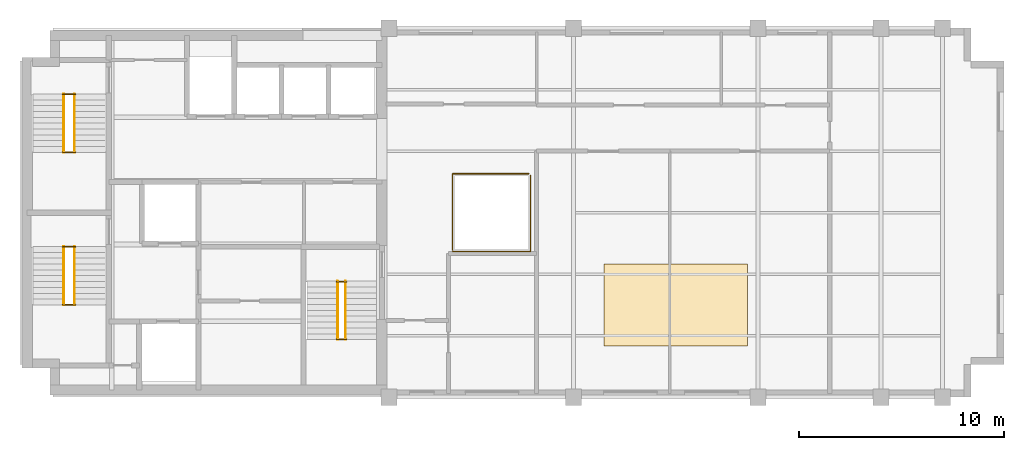
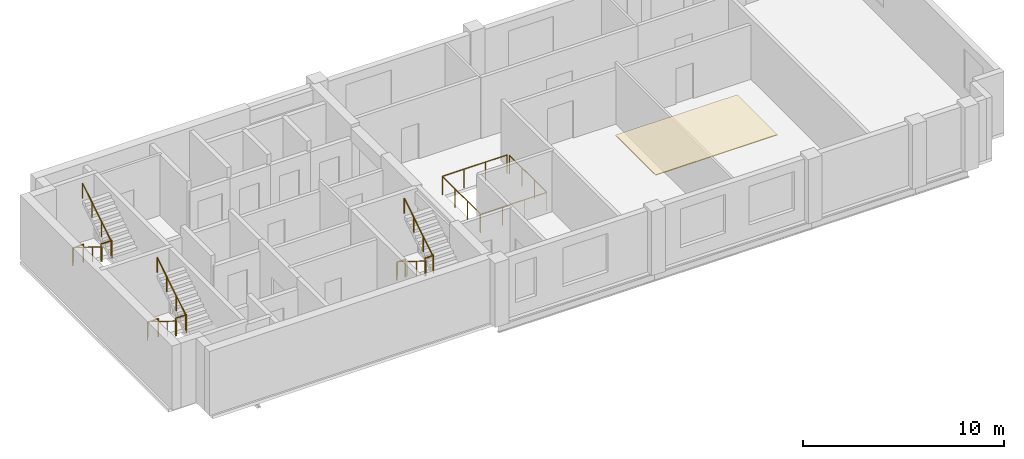
# One storey, part 5 of 5: 14 railings, 1 covering.
"""IFC4 building model written with IfcOpenShell, lengths in metres."""

import ifcopenshell
import ifcopenshell.guid

model = None  # the IFC model being written
_history = None  # IfcOwnerHistory: only IFC2X3 demands one
_inside = {}  # id of a spatial element -> (the spatial element, [elements in it])
_under = {}  # id of a project, library or spatial element -> (it, [spatial elements below it])
_declared = {}  # id of a project -> (the project, [libraries it declares])
_typed = {}  # id of a type object -> (the type object, [elements of that type])
_made_of = {}  # id of a material, layer set ... -> (it, [elements and type objects made of it])


def new_model(schema):
    """Start an empty IFC model of exactly this schema.

    Asked for "IFC4X3", IfcOpenShell would pick the latest addendum, in which some entities
    have other attributes; the version numbers below select the first issue.
    IFC2X3 requires an IfcOwnerHistory on every rooted entity: one is made here for all.
    """
    global model, _history
    if schema == "IFC4X3":
        model = ifcopenshell.file(schema_version=(4, 3, 0, 0))
    else:
        model = ifcopenshell.file(schema=schema)
    _inside.clear()
    _under.clear()
    _declared.clear()
    _typed.clear()
    _made_of.clear()
    _history = None
    if model.schema == "IFC2X3":
        org = make("IfcOrganization", Name="unknown")
        user = make(
            "IfcPersonAndOrganization",
            ThePerson=make("IfcPerson", FamilyName="unknown"),
            TheOrganization=org,
        )
        app = make(
            "IfcApplication",
            ApplicationDeveloper=org,
            Version="unknown",
            ApplicationFullName="unknown",
            ApplicationIdentifier="unknown",
        )
        _history = make(
            "IfcOwnerHistory",
            OwningUser=user,
            OwningApplication=app,
            ChangeAction="ADDED",
            CreationDate=0,
        )
    return model


def make(cls, **values):
    """One entity of the class cls with the attributes given. An attribute that is None is left unset."""
    return model.create_entity(
        cls, **{name: value for name, value in values.items() if value is not None}
    )


def rooted(cls, **values):
    """An entity with a GlobalId (a new one), such as an element, a storey or a relation."""
    return make(cls, GlobalId=ifcopenshell.guid.new(), OwnerHistory=_history, **values)


def si_unit(unit_type, name, prefix=None):
    """IfcSIUnit, for example si_unit("LENGTHUNIT", "METRE", prefix="MILLI")."""
    return make("IfcSIUnit", UnitType=unit_type, Prefix=prefix, Name=name)


def assignment(units):
    """IfcUnitAssignment: the units of a project."""
    return None if units is None else make("IfcUnitAssignment", Units=units)


def point(xyz):
    """IfcCartesianPoint."""
    return None if xyz is None else make("IfcCartesianPoint", Coordinates=xyz)


def direction(xyz):
    """IfcDirection."""
    return None if xyz is None else make("IfcDirection", DirectionRatios=xyz)


def frame(location, z_axis=None, x_axis=None):
    """IfcAxis2Placement3D, a coordinate frame: its origin and axes. An axis left out is left unset."""
    return make(
        "IfcAxis2Placement3D",
        Location=point(location),
        Axis=direction(z_axis),
        RefDirection=direction(x_axis),
    )


def frame_2d(location, x_axis=None):
    """IfcAxis2Placement2D, a coordinate frame in the plane: its origin and x axis."""
    return make(
        "IfcAxis2Placement2D", Location=point(location), RefDirection=direction(x_axis)
    )


def origin():
    """The frame at (0, 0, 0) with its axes left unset."""
    return frame((0.0, 0.0, 0.0))


def origin_2d():
    """The frame at (0, 0) in the plane with its x axis left unset."""
    return frame_2d((0.0, 0.0))


def place(relative_to, where):
    """IfcLocalPlacement: puts the frame where relative to a parent placement (None: the world)."""
    return make(
        "IfcLocalPlacement", PlacementRelTo=relative_to, RelativePlacement=where
    )


def context(
    kind, dimensions, precision=None, world=None, true_north=None, identifier=None
):
    """IfcGeometricRepresentationContext, for example the 3D "Model" context."""
    return make(
        "IfcGeometricRepresentationContext",
        ContextIdentifier=identifier,
        ContextType=kind,
        CoordinateSpaceDimension=dimensions,
        Precision=precision,
        WorldCoordinateSystem=world,
        TrueNorth=true_north,
    )


def subcontext(parent, identifier, kind, view, scale=None):
    """IfcGeometricRepresentationSubContext, for example "Body" below "Model"."""
    return make(
        "IfcGeometricRepresentationSubContext",
        ContextIdentifier=identifier,
        ContextType=kind,
        ParentContext=parent,
        TargetScale=scale,
        TargetView=view,
    )


def project(units=None, contexts=None):
    """IfcProject with its units and contexts."""
    return rooted(
        "IfcProject",
        Name="project",
        RepresentationContexts=contexts,
        UnitsInContext=assignment(units),
    )


def spatial(cls, under=None, at=None, **own):
    """A site, building, storey or space (cls), placed at a placement, below another one or the project."""
    s = rooted(cls, ObjectPlacement=at, **own)
    if under is not None:
        _under.setdefault(under.id(), (under, []))[1].append(s)
    return s


def polyline(points):
    """IfcPolyline through the points."""
    return make("IfcPolyline", Points=[point(p) for p in points])


def profile(cls, at=None, kind="AREA", **sizes):
    """A parametric profile (cls). Its sizes go by their IFC names, for example OverallWidth=200.0."""
    return make(cls, ProfileType=kind, Position=at, **sizes)


def circle(**sizes):
    """IfcCircleProfileDef."""
    return profile("IfcCircleProfileDef", **sizes)


def outline(outer, holes=None, kind="AREA"):
    """IfcArbitraryClosedProfileDef: a profile drawn as a closed curve; with holes, ...WithVoids."""
    if holes is None:
        return make("IfcArbitraryClosedProfileDef", ProfileType=kind, OuterCurve=outer)
    return make(
        "IfcArbitraryProfileDefWithVoids",
        ProfileType=kind,
        OuterCurve=outer,
        InnerCurves=holes,
    )


def extrude(swept, where, along, depth):
    """IfcExtrudedAreaSolid: the profile swept, set in the frame where, extruded along a direction by depth."""
    return make(
        "IfcExtrudedAreaSolid",
        SweptArea=swept,
        Position=where,
        ExtrudedDirection=direction(along),
        Depth=depth,
    )


def shape(context_of_items, identifier, shape_type, items):
    """IfcShapeRepresentation: the items that make up one representation, for example the "Body"."""
    return make(
        "IfcShapeRepresentation",
        ContextOfItems=context_of_items,
        RepresentationIdentifier=identifier,
        RepresentationType=shape_type,
        Items=items,
    )


def material(Name=None, Category=None):
    """IfcMaterial."""
    return make("IfcMaterial", Name=Name, Category=Category)


def layer(
    of_material, thickness, ventilated=None, Name=None, Category=None, Priority=None
):
    """IfcMaterialLayer: one layer of a wall or slab, of a material (None: an air gap)."""
    return make(
        "IfcMaterialLayer",
        Material=of_material,
        LayerThickness=thickness,
        IsVentilated=ventilated,
        Name=Name,
        Category=Category,
        Priority=Priority,
    )


def layer_set(layers, Name=None):
    """IfcMaterialLayerSet."""
    return make("IfcMaterialLayerSet", MaterialLayers=layers, LayerSetName=Name)


def made_of(thing, what):
    """Note that an element or type object is made of a material, layer set ...; save() writes the relation."""
    if what is not None:
        _made_of.setdefault(what.id(), (what, []))[1].append(thing)
    return thing


def type_object(cls, material=None, **own):
    """A type object (cls), such as IfcWallType, which elements share."""
    return made_of(rooted(cls, **own), material)


def element(
    cls,
    number,
    at=None,
    inside=None,
    cuts=None,
    type_object=None,
    material=None,
    context=None,
    identifier="Body",
    shape_type=None,
    held_by="IfcProductDefinitionShape",
    body=None,
    shapes=None,
    **own,
):
    """One element of the class cls, such as IfcWall. Its Tag is "e" and its number.

    at: its placement. inside: the storey or other place that contains it. cuts: it is an
    opening in that element (IfcRelVoidsElement). A single representation is given by context,
    identifier, shape_type and body (its items); several are given by shapes. held_by: the class
    of the entity that holds the representations. save() writes the other relations.
    """
    e = rooted(cls, Tag="e%d" % number, ObjectPlacement=at, **own)
    if body is not None:
        shapes = [shape(context, identifier, shape_type, body)]
    if shapes is not None:
        e.Representation = make(held_by, Representations=shapes)
    if inside is not None:
        _inside.setdefault(inside.id(), (inside, []))[1].append(e)
    if cuts is not None:
        rooted(
            "IfcRelVoidsElement", RelatingBuildingElement=cuts, RelatedOpeningElement=e
        )
    if type_object is not None:
        _typed.setdefault(type_object.id(), (type_object, []))[1].append(e)
    return made_of(e, material)


def aggregate(whole, parts):
    """IfcRelAggregates: a whole, such as a stair, and the parts it consists of."""
    return rooted("IfcRelAggregates", RelatingObject=whole, RelatedObjects=parts)


def save(model, path):
    """Write the relations noted so far, then the file.

    IfcRelAggregates (storeys below a building ...), IfcRelContainedInSpatialStructure (elements
    in a storey), IfcRelDefinesByType, IfcRelAssociatesMaterial and IfcRelDeclares: one each for
    every whole, place, type object, material and project.
    """
    for whole, parts in _under.values():
        aggregate(whole, parts)
    for where, things in _inside.values():
        rooted(
            "IfcRelContainedInSpatialStructure",
            RelatedElements=things,
            RelatingStructure=where,
        )
    for kind, things in _typed.values():
        rooted("IfcRelDefinesByType", RelatedObjects=things, RelatingType=kind)
    for what, things in _made_of.values():
        rooted("IfcRelAssociatesMaterial", RelatedObjects=things, RelatingMaterial=what)
    for by, libraries in _declared.values():
        rooted("IfcRelDeclares", RelatingContext=by, RelatedDefinitions=libraries)
    model.write(path)


model = new_model("IFC4")

# Units and contexts
model_context = context("Model", 3, precision=1e-05, world=origin(), true_north=direction((0.0, 1.0)))
body_context = subcontext(model_context, "Body", "Model", "MODEL_VIEW")
ifc_project = project(units=[si_unit("LENGTHUNIT", "METRE"), si_unit("AREAUNIT", "SQUARE_METRE"), si_unit("VOLUMEUNIT", "CUBIC_METRE"), si_unit("PLANEANGLEUNIT", "RADIAN"), si_unit("MASSUNIT", "GRAM", prefix="KILO")], contexts=[model_context])

# Site, building, storey
site_placement = place(None, origin())
site = spatial("IfcSite", under=ifc_project, at=site_placement, CompositionType="ELEMENT")
building_placement = place(site_placement, origin())
building = spatial("IfcBuilding", under=site, at=building_placement, Name="Mawjdan Bourse Tower", CompositionType="ELEMENT")
storey_placement = place(building_placement, frame((0.0, 0.0, 274.199951171875)))
storey = spatial("IfcBuildingStorey", under=building, at=storey_placement, Name="L67", CompositionType="ELEMENT", Elevation=274.199951171875)

# Covering
ifc_material_1 = material(Name="Perforated Mineral-Fibre Acoustic Ceiling")
ifc_layer = layer(ifc_material_1, 0.044921875)
ifc_layer_set = layer_set([ifc_layer], Name="Perforated Mineral-Fibre Acoustic Ceiling")
covering_type = type_object("IfcCoveringType", Name="COV-CLG-AC", PredefinedType="CEILING", material=ifc_layer_set)
covering_placement = place(storey_placement, frame((0.0, 0.0, 3.670166015625)))
element("IfcCovering", 1, at=covering_placement, inside=storey, type_object=covering_type, Name="L67 Suspended Acoustic Ceiling", PredefinedType="CEILING", context=body_context, shape_type="SweptSolid", body=[
    extrude(outline(polyline([(34.5, 5.5), (41.5, 5.5), (41.5, 9.5), (34.5, 9.5), (34.5, 5.5)])), origin(), (0.0, 0.0, 1.0), 0.044921875),
])

# Railings
ifc_material_2 = material(Name="Stainless Steel and Laminated Glass", Category="steel")
railing_type_1 = type_object("IfcRailingType", Name="RLG-BAL-1150", PredefinedType="BALUSTRADE", material=ifc_material_2)
railing_1_placement = place(storey_placement, frame((27.10009765625, 10.10009765625, 0.0)))
element("IfcRailing", 2, at=railing_1_placement, inside=storey, type_object=railing_type_1, Name="L67 Summit Atrium Lightwell Balustrade SE", PredefinedType="BALUSTRADE", context=body_context, shape_type="SweptSolid", body=[
    extrude(circle(Radius=0.02685546875, at=origin_2d()), frame((0.0, 0.0, 1.123046875), z_axis=(1.0, 0.0, 0.0), x_axis=(0.0, 1.0, 0.0)), (0.0, 0.0, 1.0), 3.7998046875),
    extrude(circle(Radius=0.02685546875, at=origin_2d()), frame((3.7998046875, 0.0, 1.123046875), z_axis=(0.0, 1.0, 0.0), x_axis=(-1.0, 0.0, 0.0)), (0.0, 0.0, 1.0), 3.719970703125),
    extrude(circle(Radius=0.02294921875, at=origin_2d()), origin(), (0.0, 0.0, 1.0), 1.095947265625),
    extrude(circle(Radius=0.02294921875, at=origin_2d()), frame((1.2666015625, 0.0, 0.0)), (0.0, 0.0, 1.0), 1.095947265625),
    extrude(circle(Radius=0.02294921875, at=origin_2d()), frame((2.533203125, 0.0, 0.0)), (0.0, 0.0, 1.0), 1.095947265625),
    extrude(circle(Radius=0.02294921875, at=origin_2d()), frame((3.7998046875, 0.0, 0.0)), (0.0, 0.0, 1.0), 1.095947265625),
    extrude(circle(Radius=0.02294921875, at=origin_2d()), frame((3.7998046875, 1.239990234375, 0.0)), (0.0, 0.0, 1.0), 1.095947265625),
    extrude(circle(Radius=0.02294921875, at=origin_2d()), frame((3.7998046875, 2.47998046875, 0.0)), (0.0, 0.0, 1.0), 1.095947265625),
    extrude(circle(Radius=0.02294921875, at=origin_2d()), frame((3.7998046875, 3.719970703125, 0.0)), (0.0, 0.0, 1.0), 1.095947265625),
])
railing_2_placement = place(storey_placement, frame((30.820068359375, 13.89990234375, 0.0)))
element("IfcRailing", 3, at=railing_2_placement, inside=storey, type_object=railing_type_1, Name="L67 Summit Atrium Lightwell Balustrade NW", PredefinedType="BALUSTRADE", context=body_context, shape_type="SweptSolid", body=[
    extrude(circle(Radius=0.02685546875, at=origin_2d()), frame((0.0, 0.0, 1.123046875), z_axis=(-1.0, 0.0, 0.0), x_axis=(0.0, -1.0, 0.0)), (0.0, 0.0, 1.0), 3.719970703125),
    extrude(circle(Radius=0.02685546875, at=origin_2d()), frame((-3.719970703125, 0.0, 1.123046875), z_axis=(0.0, -1.0, 0.0), x_axis=(1.0, 0.0, 0.0)), (0.0, 0.0, 1.0), 3.719970703125),
    extrude(circle(Radius=0.02294921875, at=origin_2d()), origin(), (0.0, 0.0, 1.0), 1.095947265625),
    extrude(circle(Radius=0.02294921875, at=origin_2d()), frame((-1.239990234375, 0.0, 0.0)), (0.0, 0.0, 1.0), 1.095947265625),
    extrude(circle(Radius=0.02294921875, at=origin_2d()), frame((-2.47998046875, 0.0, 0.0)), (0.0, 0.0, 1.0), 1.095947265625),
    extrude(circle(Radius=0.02294921875, at=origin_2d()), frame((-3.719970703125, 0.0, 0.0)), (0.0, 0.0, 1.0), 1.095947265625),
    extrude(circle(Radius=0.02294921875, at=origin_2d()), frame((-3.719970703125, -1.239990234375, 0.0)), (0.0, 0.0, 1.0), 1.095947265625),
    extrude(circle(Radius=0.02294921875, at=origin_2d()), frame((-3.719970703125, -2.47998046875, 0.0)), (0.0, 0.0, 1.0), 1.095947265625),
    extrude(circle(Radius=0.02294921875, at=origin_2d()), frame((-3.719970703125, -3.719970703125, 0.0)), (0.0, 0.0, 1.0), 1.095947265625),
])
ifc_material_3 = material(Name="Structural Steel S355", Category="steel")
railing_type_2 = type_object("IfcRailingType", Name="RLG-GRD-1100", PredefinedType="GUARDRAIL", material=ifc_material_3)
for number, where, name in (
    (4, (8.090087890625, 7.52001953125, 1.949951171875), "L67 ST1 Landing Guardrail GL-MID"),
    (5, (8.090087890625, 10.330078125, 0.0), "L67 ST1 Landing Guardrail GL-BOT"),
    (6, (8.090087890625, 14.9599609375, 1.949951171875), "L67 ST2 Landing Guardrail GL-MID"),
    (7, (8.090087890625, 17.77001953125, 0.0), "L67 ST2 Landing Guardrail GL-BOT"),
):
    element("IfcRailing", number, at=place(storey_placement, frame(where)), inside=storey, type_object=railing_type_2, Name=name, PredefinedType="GUARDRAIL", context=body_context, shape_type="SweptSolid", body=[
        extrude(circle(Radius=0.02490234375, at=origin_2d()), frame((0.0, 0.0, 1.0751953125), z_axis=(1.0, 0.0, 0.0), x_axis=(0.0, 1.0, 0.0)), (0.0, 0.0, 1.0), 0.619873046875),
        extrude(circle(Radius=0.02099609375, at=origin_2d()), origin(), (0.0, 0.0, 1.0), 1.050048828125),
        extrude(circle(Radius=0.02099609375, at=origin_2d()), frame((0.619873046875, 0.0, 0.0)), (0.0, 0.0, 1.0), 1.050048828125),
    ])
for number, where, name in (
    (8, (21.43994140625, 5.830078125, 1.949951171875), "L67 ST7 Landing Guardrail GL-MID"),
    (9, (21.43994140625, 8.639892578125, 0.0), "L67 ST7 Landing Guardrail GL-BOT"),
):
    element("IfcRailing", number, at=place(storey_placement, frame(where)), inside=storey, type_object=railing_type_2, Name=name, PredefinedType="GUARDRAIL", context=body_context, shape_type="SweptSolid", body=[
        extrude(circle(Radius=0.02490234375, at=origin_2d()), frame((0.0, 0.0, 1.0751953125), z_axis=(1.0, 0.0, 0.0), x_axis=(0.0, 1.0, 0.0)), (0.0, 0.0, 1.0), 0.489990234375),
        extrude(circle(Radius=0.02099609375, at=origin_2d()), origin(), (0.0, 0.0, 1.0), 1.050048828125),
        extrude(circle(Radius=0.02099609375, at=origin_2d()), frame((0.489990234375, 0.0, 0.0)), (0.0, 0.0, 1.0), 1.050048828125),
    ])
ifc_material_4 = material(Name="Brushed Stainless Steel", Category="steel")
railing_type_3 = type_object("IfcRailingType", Name="RLG-HND-920", PredefinedType="HANDRAIL", material=ifc_material_4)
railing_3_placement = place(storey_placement, frame((8.139892578125, 10.35009765625, 0.17724609375)))
element("IfcRailing", 10, at=railing_3_placement, inside=storey, type_object=railing_type_3, Name="L67 ST1 Flight Handrail HR1", PredefinedType="HANDRAIL", context=body_context, shape_type="SweptSolid", body=[
    extrude(circle(Radius=0.0224609375, at=origin_2d()), frame((0.0, 0.0, 0.8974609375), z_axis=(0.0, -0.849148672731, 0.528153890072), x_axis=(1.0, 0.0, 0.0)), (0.0, 0.0, 1.0), 3.3564453125),
    extrude(circle(Radius=0.01904296875, at=origin_2d()), origin(), (0.0, 0.0, 1.0), 0.875),
    extrude(circle(Radius=0.01904296875, at=origin_2d()), frame((0.0, -0.949951171875, 0.5908203125)), (0.0, 0.0, 1.0), 0.875),
    extrude(circle(Radius=0.01904296875, at=origin_2d()), frame((0.0, -1.900146484375, 1.181884765625)), (0.0, 0.0, 1.0), 0.875),
    extrude(circle(Radius=0.01904296875, at=origin_2d()), frame((0.0, -2.85009765625, 1.772705078125)), (0.0, 0.0, 1.0), 0.875),
])
railing_4_placement = place(storey_placement, frame((8.659912109375, 7.5, 2.12744140625)))
element("IfcRailing", 11, at=railing_4_placement, inside=storey, type_object=railing_type_3, Name="L67 ST1 Flight Handrail HR2", PredefinedType="HANDRAIL", context=body_context, shape_type="SweptSolid", body=[
    extrude(circle(Radius=0.0224609375, at=origin_2d()), frame((0.0, 0.0, 0.8974609375), z_axis=(0.0, 0.849148672731, 0.528153890072), x_axis=(-1.0, 0.0, 0.0)), (0.0, 0.0, 1.0), 3.3564453125),
    extrude(circle(Radius=0.01904296875, at=origin_2d()), origin(), (0.0, 0.0, 1.0), 0.875),
    extrude(circle(Radius=0.01904296875, at=origin_2d()), frame((0.0, 0.949951171875, 0.5908203125)), (0.0, 0.0, 1.0), 0.875),
    extrude(circle(Radius=0.01904296875, at=origin_2d()), frame((0.0, 1.900146484375, 1.181884765625)), (0.0, 0.0, 1.0), 0.875),
    extrude(circle(Radius=0.01904296875, at=origin_2d()), frame((0.0, 2.85009765625, 1.772705078125)), (0.0, 0.0, 1.0), 0.875),
])
railing_5_placement = place(storey_placement, frame((8.139892578125, 17.7900390625, 0.17724609375)))
element("IfcRailing", 12, at=railing_5_placement, inside=storey, type_object=railing_type_3, Name="L67 ST2 Flight Handrail HR1", PredefinedType="HANDRAIL", context=body_context, shape_type="SweptSolid", body=[
    extrude(circle(Radius=0.0224609375, at=origin_2d()), frame((0.0, 0.0, 0.8974609375), z_axis=(0.0, -0.849148672731, 0.528153890072), x_axis=(1.0, 0.0, 0.0)), (0.0, 0.0, 1.0), 3.3564453125),
    extrude(circle(Radius=0.01904296875, at=origin_2d()), origin(), (0.0, 0.0, 1.0), 0.875),
    extrude(circle(Radius=0.01904296875, at=origin_2d()), frame((0.0, -0.949951171875, 0.5908203125)), (0.0, 0.0, 1.0), 0.875),
    extrude(circle(Radius=0.01904296875, at=origin_2d()), frame((0.0, -1.900146484375, 1.181884765625)), (0.0, 0.0, 1.0), 0.875),
    extrude(circle(Radius=0.01904296875, at=origin_2d()), frame((0.0, -2.85009765625, 1.772705078125)), (0.0, 0.0, 1.0), 0.875),
])
railing_6_placement = place(storey_placement, frame((8.659912109375, 14.93994140625, 2.12744140625)))
element("IfcRailing", 13, at=railing_6_placement, inside=storey, type_object=railing_type_3, Name="L67 ST2 Flight Handrail HR2", PredefinedType="HANDRAIL", context=body_context, shape_type="SweptSolid", body=[
    extrude(circle(Radius=0.0224609375, at=origin_2d()), frame((0.0, 0.0, 0.8974609375), z_axis=(0.0, 0.849148672731, 0.528153890072), x_axis=(-1.0, 0.0, 0.0)), (0.0, 0.0, 1.0), 3.3564453125),
    extrude(circle(Radius=0.01904296875, at=origin_2d()), origin(), (0.0, 0.0, 1.0), 0.875),
    extrude(circle(Radius=0.01904296875, at=origin_2d()), frame((0.0, 0.949951171875, 0.5908203125)), (0.0, 0.0, 1.0), 0.875),
    extrude(circle(Radius=0.01904296875, at=origin_2d()), frame((0.0, 1.900146484375, 1.181884765625)), (0.0, 0.0, 1.0), 0.875),
    extrude(circle(Radius=0.01904296875, at=origin_2d()), frame((0.0, 2.85009765625, 1.772705078125)), (0.0, 0.0, 1.0), 0.875),
])
railing_7_placement = place(storey_placement, frame((21.489990234375, 8.659912109375, 0.17724609375)))
element("IfcRailing", 14, at=railing_7_placement, inside=storey, type_object=railing_type_3, Name="L67 ST7 Flight Handrail HR1", PredefinedType="HANDRAIL", context=body_context, shape_type="SweptSolid", body=[
    extrude(circle(Radius=0.0224609375, at=origin_2d()), frame((0.0, 0.0, 0.8974609375), z_axis=(0.0, -0.849128380713, 0.528186513523), x_axis=(1.0, 0.0, 0.0)), (0.0, 0.0, 1.0), 3.356201171875),
    extrude(circle(Radius=0.01904296875, at=origin_2d()), origin(), (0.0, 0.0, 1.0), 0.875),
    extrude(circle(Radius=0.01904296875, at=origin_2d()), frame((0.0, -0.949951171875, 0.5908203125)), (0.0, 0.0, 1.0), 0.875),
    extrude(circle(Radius=0.01904296875, at=origin_2d()), frame((0.0, -1.89990234375, 1.181884765625)), (0.0, 0.0, 1.0), 0.875),
    extrude(circle(Radius=0.01904296875, at=origin_2d()), frame((0.0, -2.849853515625, 1.772705078125)), (0.0, 0.0, 1.0), 0.875),
])
railing_8_placement = place(storey_placement, frame((21.8798828125, 5.81005859375, 2.12744140625)))
element("IfcRailing", 15, at=railing_8_placement, inside=storey, type_object=railing_type_3, Name="L67 ST7 Flight Handrail HR2", PredefinedType="HANDRAIL", context=body_context, shape_type="SweptSolid", body=[
    extrude(circle(Radius=0.0224609375, at=origin_2d()), frame((0.0, 0.0, 0.8974609375), z_axis=(0.0, 0.849128380713, 0.528186513523), x_axis=(-1.0, 0.0, 0.0)), (0.0, 0.0, 1.0), 3.356201171875),
    extrude(circle(Radius=0.01904296875, at=origin_2d()), origin(), (0.0, 0.0, 1.0), 0.875),
    extrude(circle(Radius=0.01904296875, at=origin_2d()), frame((0.0, 0.949951171875, 0.5908203125)), (0.0, 0.0, 1.0), 0.875),
    extrude(circle(Radius=0.01904296875, at=origin_2d()), frame((0.0, 1.89990234375, 1.181884765625)), (0.0, 0.0, 1.0), 0.875),
    extrude(circle(Radius=0.01904296875, at=origin_2d()), frame((0.0, 2.849853515625, 1.772705078125)), (0.0, 0.0, 1.0), 0.875),
])

save(model, "model.ifc")
